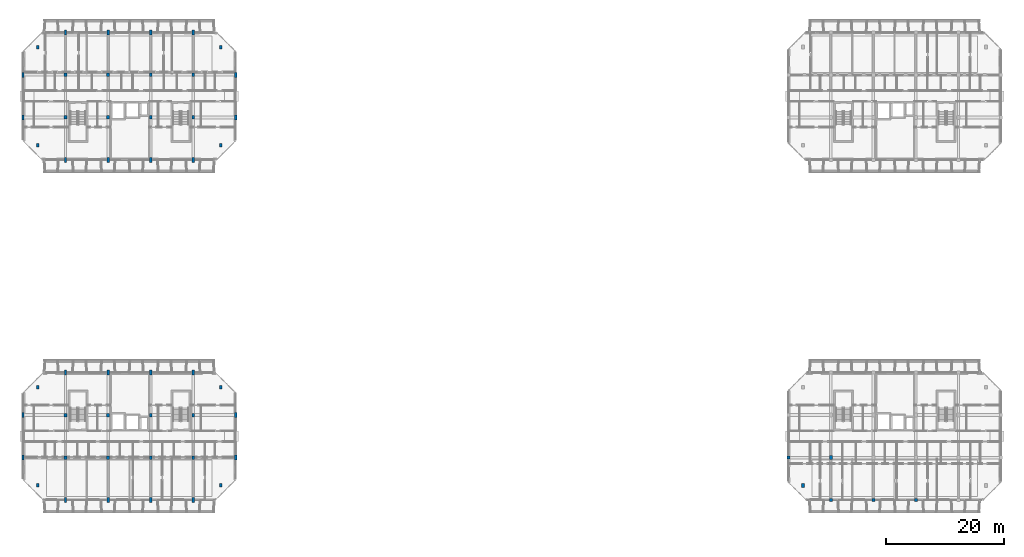
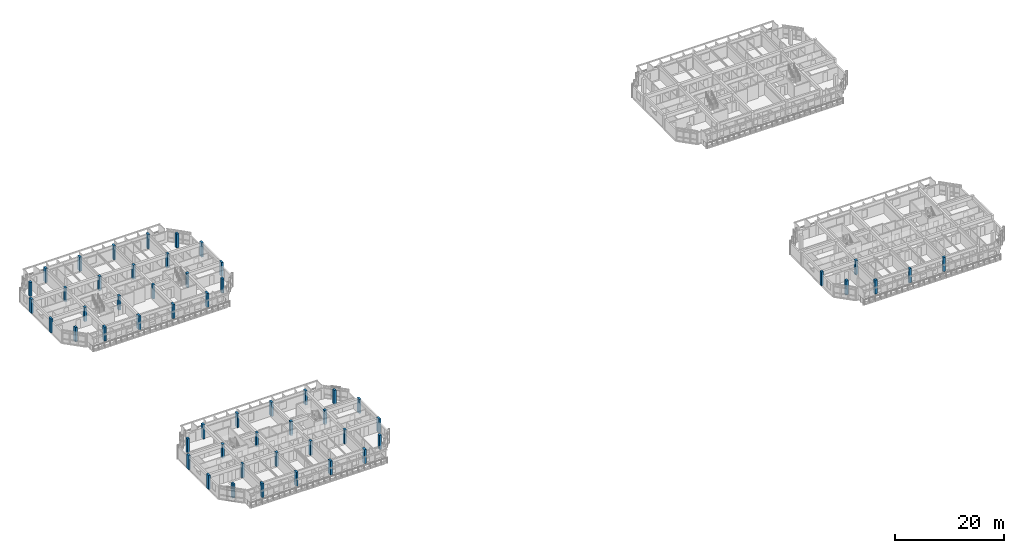
# One storey, part 1 of 45: 54 columns.
"""IFC4 building model written with IfcOpenShell, lengths in metres."""

from ifc_helpers import new_model, si_unit, direction, frame, origin, origin_2d, place, context, subcontext, project, spatial, rectangle, extrude, material, material_profile, profile_set, type_object, element, save


model = new_model("IFC4")

# Units and contexts
model_context = context("Model", 3, precision=1e-05, world=origin(), true_north=direction((0.0, 1.0)))
body_context = subcontext(model_context, "Body", "Model", "MODEL_VIEW")
ifc_project = project(units=[si_unit("LENGTHUNIT", "METRE"), si_unit("AREAUNIT", "SQUARE_METRE"), si_unit("VOLUMEUNIT", "CUBIC_METRE"), si_unit("PLANEANGLEUNIT", "RADIAN"), si_unit("MASSUNIT", "GRAM", prefix="KILO")], contexts=[model_context])

# Site, building, storey
site_placement = place(None, origin())
site = spatial("IfcSite", under=ifc_project, at=site_placement, CompositionType="ELEMENT")
building_placement = place(site_placement, origin())
building = spatial("IfcBuilding", under=site, at=building_placement, Name="Ochrevale Crest", CompositionType="ELEMENT")
storey_placement = place(building_placement, frame((0.0, 0.0, 18.14990234375)))
storey = spatial("IfcBuildingStorey", under=building, at=storey_placement, Name="L05", CompositionType="ELEMENT", Elevation=18.14990234375)

# Columns
ifc_material = material(Name="Precast concrete C50/60", Category="concrete")
ifc_material_profile_1 = material_profile(ifc_material, rectangle(XDim=0.39990234375, YDim=0.800048828125, at=origin_2d()), Name="RC 400x800")
ifc_profile_set_1 = profile_set([ifc_material_profile_1], Name="Precast concrete C50/60")
column_type_1 = type_object("IfcColumnType", Name="COL-RC400x800", PredefinedType="COLUMN", material=ifc_profile_set_1)
for number, where, z_axis, x_axis, name in (
    (1, (0.0, 21.60009765625, 0.0), (0.0, 0.0, 1.0), (1.0, 0.0, 0.0), "Block A L05 column (0.0,21.6)"),
    (2, (0.0, 28.800048828125, 0.0), (0.0, 0.0, 1.0), (1.0, 0.0, 0.0), "Block A L05 column (0.0,28.8)"),
    (3, (7.199951171875, 14.39990234375, 0.0), (0.0, 0.0, 1.0), (1.0, 0.0, 0.0), "Block A L05 column (7.2,14.4)"),
    (4, (7.199951171875, 36.0, 0.0), (0.0, 0.0, 1.0), (1.0, 0.0, 0.0), "Block A L05 column (7.2,36.0)"),
    (5, (14.39990234375, 14.39990234375, 0.0), (0.0, 0.0, 1.0), (1.0, 0.0, 0.0), "Block A L05 column (14.4,14.4)"),
    (6, (14.39990234375, 36.0, 0.0), (0.0, 0.0, 1.0), (1.0, 0.0, 0.0), "Block A L05 column (14.4,36.0)"),
    (7, (21.60009765625, 14.39990234375, 0.0), (0.0, 0.0, 1.0), (1.0, 0.0, 0.0), "Block A L05 column (21.6,14.4)"),
    (8, (21.60009765625, 36.0, 0.0), (0.0, 0.0, 1.0), (1.0, 0.0, 0.0), "Block A L05 column (21.6,36.0)"),
    (9, (28.800048828125, 14.39990234375, 0.0), (0.0, 0.0, 1.0), (1.0, 0.0, 0.0), "Block A L05 column (28.8,14.4)"),
    (10, (28.800048828125, 36.0, 0.0), (0.0, 0.0, 1.0), (1.0, 0.0, 0.0), "Block A L05 column (28.8,36.0)"),
    (11, (36.0, 21.60009765625, 0.0), (0.0, 0.0, 1.0), (1.0, 0.0, 0.0), "Block A L05 column (36.0,21.6)"),
    (12, (36.0, 28.800048828125, 0.0), (0.0, 0.0, 1.0), (1.0, 0.0, 0.0), "Block A L05 column (36.0,28.8)"),
    (13, (0.0, 79.199951171875, 0.0), (0.0, 0.0, 1.0), (1.0, 0.0, 0.0), "Block B L05 column (0.0,79.2)"),
    (14, (0.0, 86.39990234375, 0.0), (0.0, 0.0, 1.0), (1.0, 0.0, 0.0), "Block B L05 column (0.0,86.4)"),
    (15, (7.199951171875, 72.0, 0.0), (0.0, 0.0, 1.0), (1.0, 0.0, 0.0), "Block B L05 column (7.2,72.0)"),
    (16, (7.199951171875, 93.60009765625, 0.0), (0.0, 0.0, 1.0), (1.0, 0.0, 0.0), "Block B L05 column (7.2,93.6)"),
    (17, (14.39990234375, 72.0, 0.0), (0.0, 0.0, 1.0), (1.0, 0.0, 0.0), "Block B L05 column (14.4,72.0)"),
    (18, (14.39990234375, 93.60009765625, 0.0), (0.0, 0.0, 1.0), (1.0, 0.0, 0.0), "Block B L05 column (14.4,93.6)"),
    (19, (21.60009765625, 72.0, 0.0), (0.0, 0.0, 1.0), (1.0, 0.0, 0.0), "Block B L05 column (21.6,72.0)"),
    (20, (21.60009765625, 93.60009765625, 0.0), (0.0, 0.0, 1.0), (1.0, 0.0, 0.0), "Block B L05 column (21.6,93.6)"),
    (21, (28.800048828125, 72.0, 0.0), (0.0, 0.0, 1.0), (1.0, 0.0, 0.0), "Block B L05 column (28.8,72.0)"),
    (22, (28.800048828125, 93.60009765625, 0.0), (0.0, 0.0, 1.0), (1.0, 0.0, 0.0), "Block B L05 column (28.8,93.6)"),
    (23, (36.0, 79.199951171875, 0.0), (0.0, 0.0, 1.0), (1.0, 0.0, 0.0), "Block B L05 column (36.0,79.2)"),
    (24, (36.0, 86.39990234375, 0.0), (0.0, 0.0, 1.0), (1.0, 0.0, 0.0), "Block B L05 column (36.0,86.4)"),
):
    element("IfcColumn", number, at=place(storey_placement, frame(where, z_axis=z_axis, x_axis=x_axis)), inside=storey, type_object=column_type_1, Name=name, PredefinedType="COLUMN", context=body_context, shape_type="SweptSolid", body=[
        extrude(rectangle(XDim=0.39990234375, YDim=0.800048828125, at=origin_2d()), origin(), (0.0, 0.0, 1.0), 3.150146484375),
    ])
ifc_material_profile_2 = material_profile(ifc_material, rectangle(XDim=0.449951171875, YDim=0.60009765625, at=origin_2d()), Name="RC 450x600")
ifc_profile_set_2 = profile_set([ifc_material_profile_2], Name="Precast concrete C50/60")
column_type_2 = type_object("IfcColumnType", Name="COL-RC450x600", PredefinedType="COLUMN", material=ifc_profile_set_2)
for number, where, z_axis, x_axis, name in (
    (25, (2.5, 16.89990234375, 0.0), (0.0, 0.0, 1.0), (1.0, 0.0, 0.0), "Block A L05 column (2.5,16.9)"),
    (26, (2.5, 33.5, 0.0), (0.0, 0.0, 1.0), (1.0, 0.0, 0.0), "Block A L05 column (2.5,33.5)"),
    (27, (7.199951171875, 21.60009765625, 0.0), (0.0, 0.0, 1.0), (1.0, 0.0, 0.0), "Block A L05 column (7.2,21.6)"),
    (28, (7.199951171875, 28.800048828125, 0.0), (0.0, 0.0, 1.0), (1.0, 0.0, 0.0), "Block A L05 column (7.2,28.8)"),
    (29, (14.39990234375, 21.60009765625, 0.0), (0.0, 0.0, 1.0), (1.0, 0.0, 0.0), "Block A L05 column (14.4,21.6)"),
    (30, (14.39990234375, 28.800048828125, 0.0), (0.0, 0.0, 1.0), (1.0, 0.0, 0.0), "Block A L05 column (14.4,28.8)"),
    (31, (21.60009765625, 21.60009765625, 0.0), (0.0, 0.0, 1.0), (1.0, 0.0, 0.0), "Block A L05 column (21.6,21.6)"),
    (32, (21.60009765625, 28.800048828125, 0.0), (0.0, 0.0, 1.0), (1.0, 0.0, 0.0), "Block A L05 column (21.6,28.8)"),
    (33, (28.800048828125, 21.60009765625, 0.0), (0.0, 0.0, 1.0), (1.0, 0.0, 0.0), "Block A L05 column (28.8,21.6)"),
    (34, (28.800048828125, 28.800048828125, 0.0), (0.0, 0.0, 1.0), (1.0, 0.0, 0.0), "Block A L05 column (28.8,28.8)"),
    (35, (33.5, 16.89990234375, 0.0), (0.0, 0.0, 1.0), (1.0, 0.0, 0.0), "Block A L05 column (33.5,16.9)"),
    (36, (33.5, 33.5, 0.0), (0.0, 0.0, 1.0), (1.0, 0.0, 0.0), "Block A L05 column (33.5,33.5)"),
    (37, (2.5, 74.5, 0.0), (0.0, 0.0, 1.0), (1.0, 0.0, 0.0), "Block B L05 column (2.5,74.5)"),
    (38, (2.5, 91.10009765625, 0.0), (0.0, 0.0, 1.0), (1.0, 0.0, 0.0), "Block B L05 column (2.5,91.1)"),
    (39, (7.199951171875, 79.199951171875, 0.0), (0.0, 0.0, 1.0), (1.0, 0.0, 0.0), "Block B L05 column (7.2,79.2)"),
    (40, (7.199951171875, 86.39990234375, 0.0), (0.0, 0.0, 1.0), (1.0, 0.0, 0.0), "Block B L05 column (7.2,86.4)"),
    (41, (14.39990234375, 79.199951171875, 0.0), (0.0, 0.0, 1.0), (1.0, 0.0, 0.0), "Block B L05 column (14.4,79.2)"),
    (42, (14.39990234375, 86.39990234375, 0.0), (0.0, 0.0, 1.0), (1.0, 0.0, 0.0), "Block B L05 column (14.4,86.4)"),
    (43, (21.60009765625, 79.199951171875, 0.0), (0.0, 0.0, 1.0), (1.0, 0.0, 0.0), "Block B L05 column (21.6,79.2)"),
    (44, (21.60009765625, 86.39990234375, 0.0), (0.0, 0.0, 1.0), (1.0, 0.0, 0.0), "Block B L05 column (21.6,86.4)"),
    (45, (28.800048828125, 79.199951171875, 0.0), (0.0, 0.0, 1.0), (1.0, 0.0, 0.0), "Block B L05 column (28.8,79.2)"),
    (46, (28.800048828125, 86.39990234375, 0.0), (0.0, 0.0, 1.0), (1.0, 0.0, 0.0), "Block B L05 column (28.8,86.4)"),
    (47, (33.5, 74.5, 0.0), (0.0, 0.0, 1.0), (1.0, 0.0, 0.0), "Block B L05 column (33.5,74.5)"),
    (48, (33.5, 91.10009765625, 0.0), (0.0, 0.0, 1.0), (1.0, 0.0, 0.0), "Block B L05 column (33.5,91.1)"),
):
    element("IfcColumn", number, at=place(storey_placement, frame(where, z_axis=z_axis, x_axis=x_axis)), inside=storey, type_object=column_type_2, Name=name, PredefinedType="COLUMN", context=body_context, shape_type="SweptSolid", body=[
        extrude(rectangle(XDim=0.449951171875, YDim=0.60009765625, at=origin_2d()), origin(), (0.0, 0.0, 1.0), 3.150146484375),
    ])
ifc_material_profile_3 = material_profile(ifc_material, rectangle(XDim=0.5, YDim=0.5, at=origin_2d()), Name="RC 500x500")
ifc_profile_set_3 = profile_set([ifc_material_profile_3], Name="Precast concrete C50/60")
column_type_3 = type_object("IfcColumnType", Name="COL-RC500x500", PredefinedType="COLUMN", material=ifc_profile_set_3)
for number, where, z_axis, x_axis, name in (
    (49, (129.60009765625, 21.60009765625, 0.0), (0.0, 0.0, 1.0), (1.0, 0.0, 0.0), "Block C L05 column (129.6,21.6)"),
    (50, (136.800048828125, 14.39990234375, 0.0), (0.0, 0.0, 1.0), (1.0, 0.0, 0.0), "Block C L05 column (136.8,14.4)"),
    (51, (144.0, 14.39990234375, 0.0), (0.0, 0.0, 1.0), (1.0, 0.0, 0.0), "Block C L05 column (144.0,14.4)"),
    (52, (151.199951171875, 14.39990234375, 0.0), (0.0, 0.0, 1.0), (1.0, 0.0, 0.0), "Block C L05 column (151.2,14.4)"),
):
    element("IfcColumn", number, at=place(storey_placement, frame(where, z_axis=z_axis, x_axis=x_axis)), inside=storey, type_object=column_type_3, Name=name, PredefinedType="COLUMN", context=body_context, shape_type="SweptSolid", body=[
        extrude(rectangle(XDim=0.5, YDim=0.5, at=origin_2d()), origin(), (0.0, 0.0, 1.0), 3.150146484375),
    ])
ifc_material_profile_4 = material_profile(ifc_material, rectangle(XDim=0.5, YDim=0.64990234375, at=origin_2d()), Name="RC 500x650")
ifc_profile_set_4 = profile_set([ifc_material_profile_4], Name="Precast concrete C50/60")
column_type_4 = type_object("IfcColumnType", Name="COL-RC500x650", PredefinedType="COLUMN", material=ifc_profile_set_4)
for number, where, z_axis, x_axis, name in (
    (53, (132.10009765625, 16.89990234375, 0.0), (0.0, 0.0, 1.0), (1.0, 0.0, 0.0), "Block C L05 column (132.1,16.9)"),
    (54, (136.800048828125, 21.60009765625, 0.0), (0.0, 0.0, 1.0), (1.0, 0.0, 0.0), "Block C L05 column (136.8,21.6)"),
):
    element("IfcColumn", number, at=place(storey_placement, frame(where, z_axis=z_axis, x_axis=x_axis)), inside=storey, type_object=column_type_4, Name=name, PredefinedType="COLUMN", context=body_context, shape_type="SweptSolid", body=[
        extrude(rectangle(XDim=0.5, YDim=0.64990234375, at=origin_2d()), origin(), (0.0, 0.0, 1.0), 3.150146484375),
    ])

save(model, "model.ifc")
